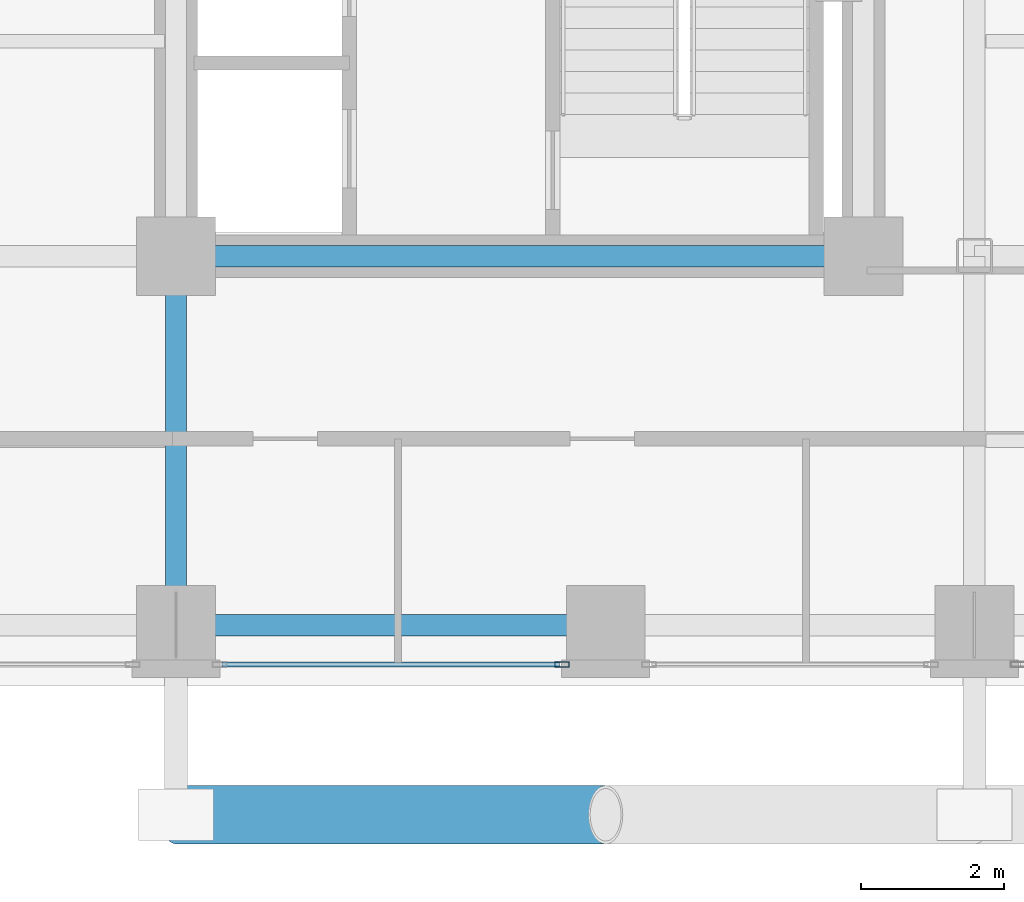
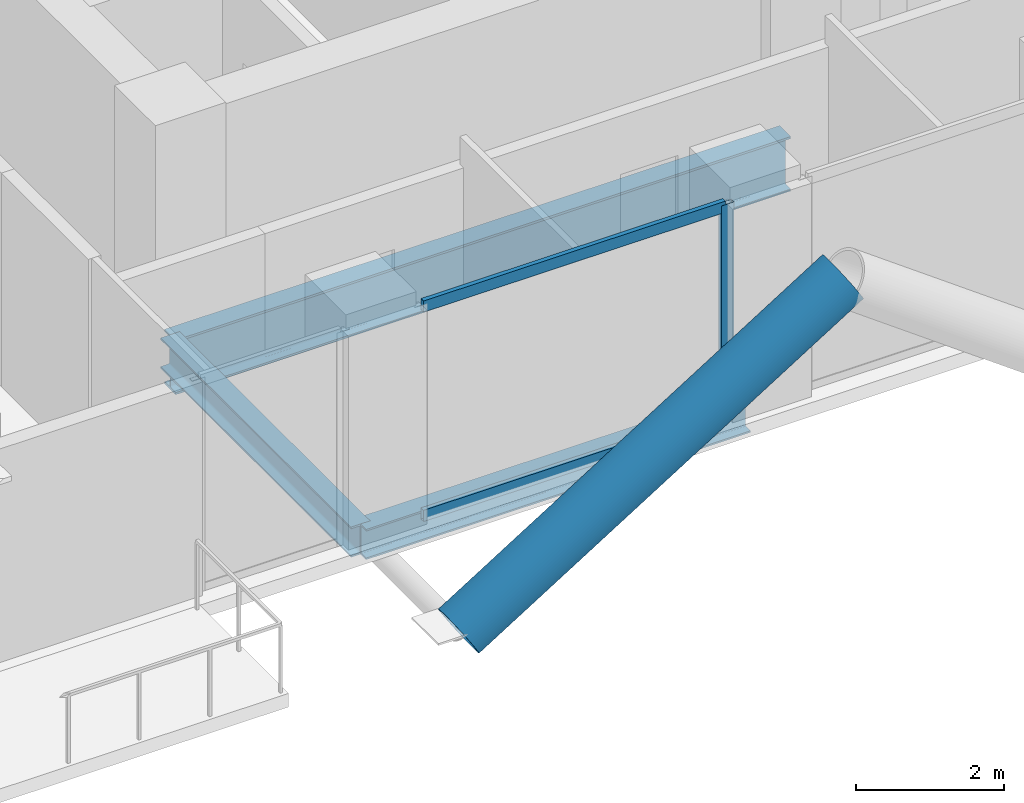
# One storey, part 4 of 24: 4 members, 3 beams, 1 element without a shape of its own.
"""IFC4 building model written with IfcOpenShell, lengths in metres."""

from ifc_helpers import new_model, si_unit, direction, frame, origin, origin_2d, place, context, subcontext, project, spatial, hollow_rectangle, hollow_circle, i_section, extrude, material, layer, layer_set, material_profile, profile_set, type_object, element, aggregate, save


model = new_model("IFC4")

# Units and contexts
model_context = context("Model", 3, precision=1e-05, world=origin(), true_north=direction((0.0, 1.0)))
body_context = subcontext(model_context, "Body", "Model", "MODEL_VIEW")
ifc_project = project(units=[si_unit("LENGTHUNIT", "METRE"), si_unit("AREAUNIT", "SQUARE_METRE"), si_unit("VOLUMEUNIT", "CUBIC_METRE"), si_unit("PLANEANGLEUNIT", "RADIAN"), si_unit("MASSUNIT", "GRAM", prefix="KILO"), si_unit("THERMODYNAMICTEMPERATUREUNIT", "KELVIN"), si_unit("POWERUNIT", "WATT")], contexts=[model_context])

# Site, building, storey
site_placement = place(None, origin())
site = spatial("IfcSite", under=ifc_project, at=site_placement, CompositionType="ELEMENT")
building_placement = place(site_placement, origin())
building = spatial("IfcBuilding", under=site, at=building_placement, Name="Svarakhadi Broadcast Tower", CompositionType="ELEMENT")
storey_placement = place(building_placement, frame((0.0, 0.0, 145.64990234375)))
storey = spatial("IfcBuildingStorey", under=building, at=storey_placement, Name="L35", CompositionType="ELEMENT", Elevation=145.64990234375)

# Curtain wall, members
ifc_material_1 = material(Name="Anodised Bronze Aluminium AA 6063-T6", Category="aluminium")
ifc_layer = layer(ifc_material_1, 0.199951171875)
ifc_layer_set = layer_set([ifc_layer], Name="Anodised Bronze Aluminium AA 6063-T6")
curtain_wall_type = type_object("IfcCurtainWallType", Name="CW_Sys_03", PredefinedType="NOTDEFINED", material=ifc_layer_set)
curtain_wall_placement = place(storey_placement, origin())
curtain_wall = element("IfcCurtainWall", 1, at=curtain_wall_placement, inside=storey, type_object=curtain_wall_type, Name="L35 South Curtain Wall 16 Bay 3", PredefinedType="NOTDEFINED")
ifc_material_profile_1 = material_profile(ifc_material_1, hollow_rectangle(XDim=0.074951171875, YDim=0.199951171875, WallThickness=0.005615234375, at=origin_2d()), Name="ALU MULLION 200x75x6")
ifc_profile_set_1 = profile_set([ifc_material_profile_1], Name="Anodised Bronze Aluminium AA 6063-T6")
member_type_1 = type_object("IfcMemberType", Name="CW_Sys_03_Mul", PredefinedType="MULLION", material=ifc_profile_set_1)
member_1_placement = place(storey_placement, frame((29.392578125, 0.300048828125, 0.0), z_axis=(0.0, 0.0, 1.0), x_axis=(0.0, -1.0, 0.0)))
member_1 = element("IfcMember", 2, at=member_1_placement, type_object=member_type_1, Name="CW-03 mullion 1", PredefinedType="MULLION", context=body_context, shape_type="SweptSolid", body=[
    extrude(hollow_rectangle(XDim=0.074951171875, YDim=0.199951171875, WallThickness=0.005615234375, at=origin_2d()), origin(), (0.0, 0.0, 1.0), 3.525146484375),
])
ifc_material_profile_2 = material_profile(ifc_material_1, hollow_rectangle(XDim=0.070068359375, YDim=0.18505859375, WallThickness=0.0048828125, at=origin_2d()), Name="ALU TRANSOM 185x70x5")
ifc_profile_set_2 = profile_set([ifc_material_profile_2], Name="Anodised Bronze Aluminium AA 6063-T6")
member_type_2 = type_object("IfcMemberType", Name="CW_Sys_03_Trn", PredefinedType="USERDEFINED", material=ifc_profile_set_2)
member_2_placement = place(storey_placement, frame((29.35498046875, 0.300048828125, 0.03515625), z_axis=(-1.0, 0.0, 0.0), x_axis=(0.0, -1.0, 0.0)))
member_2 = element("IfcMember", 3, at=member_2_placement, type_object=member_type_2, Name="CW-03 transom 1.1", ObjectType="TRANSOM", PredefinedType="USERDEFINED", context=body_context, shape_type="SweptSolid", body=[
    extrude(hollow_rectangle(XDim=0.070068359375, YDim=0.18505859375, WallThickness=0.0048828125, at=origin_2d()), origin(), (0.0, 0.0, 1.0), 4.7099609375),
])
member_3_placement = place(storey_placement, frame((29.35498046875, 0.300048828125, 3.489990234375), z_axis=(-1.0, 0.0, 0.0), x_axis=(0.0, -1.0, 0.0)))
member_3 = element("IfcMember", 4, at=member_3_placement, type_object=member_type_2, Name="CW-03 transom 1.2", ObjectType="TRANSOM", PredefinedType="USERDEFINED", context=body_context, shape_type="SweptSolid", body=[
    extrude(hollow_rectangle(XDim=0.070068359375, YDim=0.18505859375, WallThickness=0.0048828125, at=origin_2d()), origin(), (0.0, 0.0, 1.0), 4.7099609375),
])
aggregate(curtain_wall, [member_1, member_2, member_3])

# Member
ifc_material_2 = material(Name="Steel S460ML (IS 2062 E450BR)", Category="steel")
ifc_material_profile_3 = material_profile(ifc_material_2, hollow_circle(Radius=0.406494140625, WallThickness=0.0400390625, at=origin_2d()), Name="CHS 813x40")
ifc_profile_set_3 = profile_set([ifc_material_profile_3], Name="Steel S460ML (IS 2062 E450BR)")
member_type_3 = type_object("IfcMemberType", Name="Exo_Brace_CHS813", PredefinedType="BRACE", material=ifc_profile_set_3)
member_4_placement = place(storey_placement, frame((24.0, -1.800048828125, -0.386962890625), z_axis=(0.847998304005, 0.0, 0.529998940003), x_axis=(0.0, 1.0, 0.0)))
element("IfcMember", 5, at=member_4_placement, inside=storey, type_object=member_type_3, Name="L35 Exposed Bronze Exoskeleton Diagonal S01", PredefinedType="BRACE", context=body_context, shape_type="SweptSolid", body=[
    extrude(hollow_circle(Radius=0.406494140625, WallThickness=0.0400390625, at=origin_2d()), origin(), (0.0, 0.0, 1.0), 7.075439453125),
])

# Beams
ifc_material_3 = material(Name="Steel S355J2 (IS 2062 E350C)", Category="steel")
ifc_material_profile_4 = material_profile(ifc_material_3, i_section(OverallWidth=0.300048828125, OverallDepth=0.5, WebThickness=0.014404296875, FlangeThickness=0.028076171875, FilletRadius=0.027099609375, at=origin_2d()), Name="WPB 500x300x187")
ifc_profile_set_4 = profile_set([ifc_material_profile_4], Name="Steel S355J2 (IS 2062 E350C)")
beam_type_1 = type_object("IfcBeamType", Name="Girder_WPB500", PredefinedType="USERDEFINED", material=ifc_profile_set_4)
beam_1_placement = place(storey_placement, frame((24.0, 0.85009765625, -0.474853515625), z_axis=(1.0, 0.0, 0.0), x_axis=(0.0, 1.0, 0.0)))
element("IfcBeam", 6, at=beam_1_placement, inside=storey, type_object=beam_type_1, Name="L35 Primary E-W Girder G007", ObjectType="GIRDER", PredefinedType="USERDEFINED", context=body_context, shape_type="SweptSolid", body=[
    extrude(i_section(OverallWidth=0.300048828125, OverallDepth=0.5, WebThickness=0.014404296875, FlangeThickness=0.028076171875, FilletRadius=0.027099609375, at=origin_2d()), origin(), (0.0, 0.0, 1.0), 6.0),
])
beam_2_placement = place(storey_placement, frame((24.0, 0.85009765625, -0.474853515625), z_axis=(0.0, 1.0, 0.0), x_axis=(-1.0, 0.0, 0.0)))
element("IfcBeam", 7, at=beam_2_placement, inside=storey, type_object=beam_type_1, Name="L35 Primary N-S Girder G062", ObjectType="GIRDER", PredefinedType="USERDEFINED", context=body_context, shape_type="SweptSolid", body=[
    extrude(i_section(OverallWidth=0.300048828125, OverallDepth=0.5, WebThickness=0.014404296875, FlangeThickness=0.028076171875, FilletRadius=0.027099609375, at=origin_2d()), origin(), (0.0, 0.0, 1.0), 5.14990234375),
])
ifc_material_profile_5 = material_profile(ifc_material_2, i_section(OverallWidth=0.300048828125, OverallDepth=0.89990234375, WebThickness=0.0185546875, FlangeThickness=0.034912109375, FilletRadius=0.030029296875, at=origin_2d()), Name="WPB 900x300x291")
ifc_profile_set_5 = profile_set([ifc_material_profile_5], Name="Steel S460ML (IS 2062 E450BR)")
beam_type_2 = type_object("IfcBeamType", Name="Girder_WPB900", PredefinedType="USERDEFINED", material=ifc_profile_set_5)
beam_3_placement = place(storey_placement, frame((24.0, 6.0, -0.6748046875), z_axis=(1.0, 0.0, 0.0), x_axis=(0.0, 1.0, 0.0)))
element("IfcBeam", 8, at=beam_3_placement, inside=storey, type_object=beam_type_2, Name="L35 Primary E-W Girder G014", ObjectType="GIRDER", PredefinedType="USERDEFINED", context=body_context, shape_type="SweptSolid", body=[
    extrude(i_section(OverallWidth=0.300048828125, OverallDepth=0.89990234375, WebThickness=0.0185546875, FlangeThickness=0.034912109375, FilletRadius=0.030029296875, at=origin_2d()), origin(), (0.0, 0.0, 1.0), 9.60009765625),
])

save(model, "model.ifc")
